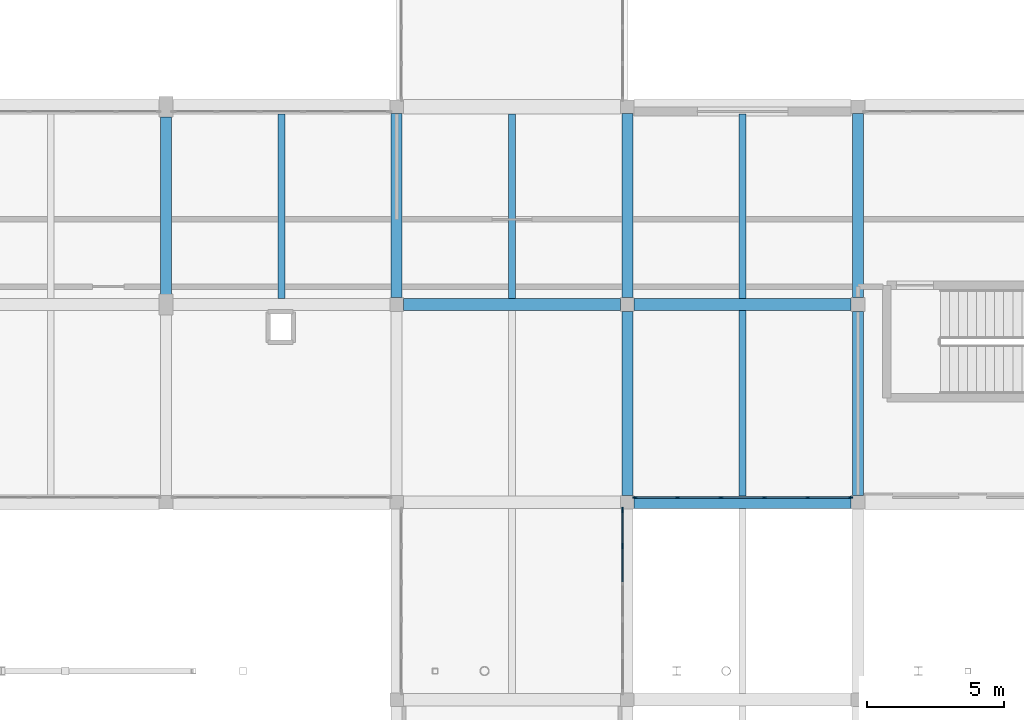
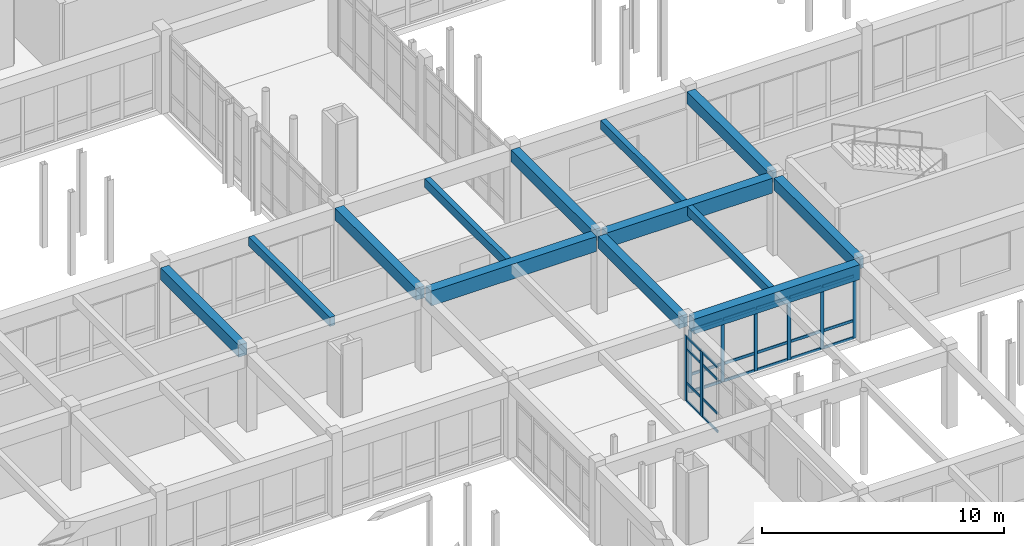
# One storey, part 48 of 147: 31 members, 13 beams, 2 elements without a shape of their own.
"""IFC4 building model written with IfcOpenShell, lengths in metres."""

from ifc_helpers import new_model, si_unit, direction, frame, origin, origin_2d, place, context, subcontext, project, spatial, rectangle, extrude, material, material_profile, profile_set, type_object, element, aggregate, save


model = new_model("IFC4")

# Units and contexts
model_context = context("Model", 3, precision=1e-05, world=origin(), true_north=direction((0.0, 1.0)))
body_context = subcontext(model_context, "Body", "Model", "MODEL_VIEW")
ifc_project = project(units=[si_unit("LENGTHUNIT", "METRE"), si_unit("AREAUNIT", "SQUARE_METRE"), si_unit("VOLUMEUNIT", "CUBIC_METRE"), si_unit("PLANEANGLEUNIT", "RADIAN"), si_unit("MASSUNIT", "GRAM", prefix="KILO")], contexts=[model_context])

# Site, building, storey
site_placement = place(None, origin())
site = spatial("IfcSite", under=ifc_project, at=site_placement, CompositionType="ELEMENT")
building_placement = place(site_placement, origin())
building = spatial("IfcBuilding", under=site, at=building_placement, Name="Malvenik Polytechnic", CompositionType="ELEMENT")
storey_placement = place(building_placement, frame((0.0, 0.0, 5.10009765625)))
storey = spatial("IfcBuildingStorey", under=building, at=storey_placement, Name="L01", CompositionType="ELEMENT", Elevation=5.10009765625)

# Curtain wall, members
ifc_material_1 = material(Name="Anodised aluminium 6060-T6", Category="aluminium")
curtain_wall_type_1 = type_object("IfcCurtainWallType", Name="ARC-CW-CW-02", PredefinedType="NOTDEFINED", material=ifc_material_1)
curtain_wall_1_placement = place(storey_placement, origin())
curtain_wall_1 = element("IfcCurtainWall", 1, at=curtain_wall_1_placement, inside=storey, type_object=curtain_wall_type_1, Name="Unitised Curtain Wall CW-02 L01 #92", PredefinedType="NOTDEFINED")
ifc_material_2 = material(Name="Anodised aluminium", Category="aluminium")
ifc_material_profile_1 = material_profile(ifc_material_2, rectangle(XDim=0.06005859375, YDim=0.159912109375, at=origin_2d()), Name="ALU MULLION 60x160")
ifc_profile_set_1 = profile_set([ifc_material_profile_1], Name="Anodised aluminium")
member_type_1 = type_object("IfcMemberType", Name="ARC-CWM-160", PredefinedType="MULLION", material=ifc_profile_set_1)
member_1_placement = place(storey_placement, frame((92.1220703125, 50.570068359375, 0.0), z_axis=(0.0, 0.0, 1.0), x_axis=(0.0, -1.0, 0.0)))
member_1 = element("IfcMember", 2, at=member_1_placement, type_object=member_type_1, Name="CW-02 mullion 1", PredefinedType="MULLION", context=body_context, shape_type="SweptSolid", body=[
    extrude(rectangle(XDim=0.06005859375, YDim=0.159912109375, at=origin_2d()), origin(), (0.0, 0.0, 1.0), 3.159912109375),
])
member_2_placement = place(storey_placement, frame((90.5712890625, 50.570068359375, 0.0), z_axis=(0.0, 0.0, 1.0), x_axis=(0.0, -1.0, 0.0)))
member_2 = element("IfcMember", 3, at=member_2_placement, type_object=member_type_1, Name="CW-02 mullion 2", PredefinedType="MULLION", context=body_context, shape_type="SweptSolid", body=[
    extrude(rectangle(XDim=0.06005859375, YDim=0.159912109375, at=origin_2d()), origin(), (0.0, 0.0, 1.0), 3.159912109375),
])
member_3_placement = place(storey_placement, frame((88.990478515625, 50.570068359375, 0.0), z_axis=(0.0, 0.0, 1.0), x_axis=(0.0, -1.0, 0.0)))
member_3 = element("IfcMember", 4, at=member_3_placement, type_object=member_type_1, Name="CW-02 mullion 3", PredefinedType="MULLION", context=body_context, shape_type="SweptSolid", body=[
    extrude(rectangle(XDim=0.06005859375, YDim=0.159912109375, at=origin_2d()), origin(), (0.0, 0.0, 1.0), 3.159912109375),
])
member_4_placement = place(storey_placement, frame((87.40966796875, 50.570068359375, 0.0), z_axis=(0.0, 0.0, 1.0), x_axis=(0.0, -1.0, 0.0)))
member_4 = element("IfcMember", 5, at=member_4_placement, type_object=member_type_1, Name="CW-02 mullion 4", PredefinedType="MULLION", context=body_context, shape_type="SweptSolid", body=[
    extrude(rectangle(XDim=0.06005859375, YDim=0.159912109375, at=origin_2d()), origin(), (0.0, 0.0, 1.0), 3.159912109375),
])
member_5_placement = place(storey_placement, frame((85.828857421875, 50.570068359375, 0.0), z_axis=(0.0, 0.0, 1.0), x_axis=(0.0, -1.0, 0.0)))
member_5 = element("IfcMember", 6, at=member_5_placement, type_object=member_type_1, Name="CW-02 mullion 5", PredefinedType="MULLION", context=body_context, shape_type="SweptSolid", body=[
    extrude(rectangle(XDim=0.06005859375, YDim=0.159912109375, at=origin_2d()), origin(), (0.0, 0.0, 1.0), 3.159912109375),
])
member_6_placement = place(storey_placement, frame((84.278076171875, 50.570068359375, 0.0), z_axis=(0.0, 0.0, 1.0), x_axis=(0.0, -1.0, 0.0)))
member_6 = element("IfcMember", 7, at=member_6_placement, type_object=member_type_1, Name="CW-02 mullion 6", PredefinedType="MULLION", context=body_context, shape_type="SweptSolid", body=[
    extrude(rectangle(XDim=0.06005859375, YDim=0.159912109375, at=origin_2d()), origin(), (0.0, 0.0, 1.0), 3.159912109375),
])

curtain_wall_type_2 = type_object("IfcCurtainWallType", Name="ARC-CW-CW-05", PredefinedType="NOTDEFINED", material=ifc_material_1)
curtain_wall_2_placement = place(storey_placement, origin())
curtain_wall_2 = element("IfcCurtainWall", 8, at=curtain_wall_2_placement, inside=storey, type_object=curtain_wall_type_2, Name="Unitised Curtain Wall CW-05 L01 #93", PredefinedType="NOTDEFINED")
ifc_material_profile_2 = material_profile(ifc_material_2, rectangle(XDim=0.06005859375, YDim=0.199951171875, at=origin_2d()), Name="ALU MULLION 60x200")
ifc_profile_set_2 = profile_set([ifc_material_profile_2], Name="Anodised aluminium")
member_type_2 = type_object("IfcMemberType", Name="ARC-CWM-200", PredefinedType="MULLION", material=ifc_profile_set_2)
member_7_placement = place(storey_placement, frame((83.830078125, 50.1220703125, 0.0), z_axis=(0.0, 0.0, 1.0), x_axis=(1.0, 0.0, 0.0)))
member_7 = element("IfcMember", 9, at=member_7_placement, type_object=member_type_2, Name="CW-05 mullion 1", PredefinedType="MULLION", context=body_context, shape_type="SweptSolid", body=[
    extrude(rectangle(XDim=0.06005859375, YDim=0.199951171875, at=origin_2d()), origin(), (0.0, 0.0, 1.0), 3.309814453125),
])
member_8_placement = place(storey_placement, frame((83.830078125, 48.811279296875, 0.0), z_axis=(0.0, 0.0, 1.0), x_axis=(1.0, 0.0, 0.0)))
member_8 = element("IfcMember", 10, at=member_8_placement, type_object=member_type_2, Name="CW-05 mullion 2", PredefinedType="MULLION", context=body_context, shape_type="SweptSolid", body=[
    extrude(rectangle(XDim=0.06005859375, YDim=0.199951171875, at=origin_2d()), origin(), (0.0, 0.0, 1.0), 3.309814453125),
])
ifc_material_profile_3 = material_profile(ifc_material_2, rectangle(XDim=0.06005859375, YDim=0.1201171875, at=origin_2d()), Name="ALU TRANSOM 60x120")
ifc_profile_set_3 = profile_set([ifc_material_profile_3], Name="Anodised aluminium")
member_type_3 = type_object("IfcMemberType", Name="ARC-CWT-120", PredefinedType="USERDEFINED", material=ifc_profile_set_3)
member_9_placement = place(storey_placement, frame((83.830078125, 50.092041015625, 0.02978515625), z_axis=(0.0, -1.0, 0.0), x_axis=(1.0, 0.0, 0.0)))
member_9 = element("IfcMember", 11, at=member_9_placement, type_object=member_type_3, Name="CW-05 transom 1.1", ObjectType="TRANSOM", PredefinedType="USERDEFINED", context=body_context, shape_type="SweptSolid", body=[
    extrude(rectangle(XDim=0.06005859375, YDim=0.1201171875, at=origin_2d()), origin(), (0.0, 0.0, 1.0), 1.250732421875),
])
member_10_placement = place(storey_placement, frame((83.830078125, 50.092041015625, 0.949951171875), z_axis=(0.0, -1.0, 0.0), x_axis=(1.0, 0.0, 0.0)))
member_10 = element("IfcMember", 12, at=member_10_placement, type_object=member_type_3, Name="CW-05 transom 1.2", ObjectType="TRANSOM", PredefinedType="USERDEFINED", context=body_context, shape_type="SweptSolid", body=[
    extrude(rectangle(XDim=0.06005859375, YDim=0.1201171875, at=origin_2d()), origin(), (0.0, 0.0, 1.0), 1.250732421875),
])
member_11_placement = place(storey_placement, frame((83.830078125, 50.092041015625, 2.659912109375), z_axis=(0.0, -1.0, 0.0), x_axis=(1.0, 0.0, 0.0)))
member_11 = element("IfcMember", 13, at=member_11_placement, type_object=member_type_3, Name="CW-05 transom 1.3", ObjectType="TRANSOM", PredefinedType="USERDEFINED", context=body_context, shape_type="SweptSolid", body=[
    extrude(rectangle(XDim=0.06005859375, YDim=0.1201171875, at=origin_2d()), origin(), (0.0, 0.0, 1.0), 1.250732421875),
])
member_12_placement = place(storey_placement, frame((83.830078125, 50.092041015625, 3.27978515625), z_axis=(0.0, -1.0, 0.0), x_axis=(1.0, 0.0, 0.0)))
member_12 = element("IfcMember", 14, at=member_12_placement, type_object=member_type_3, Name="CW-05 transom 1.4", ObjectType="TRANSOM", PredefinedType="USERDEFINED", context=body_context, shape_type="SweptSolid", body=[
    extrude(rectangle(XDim=0.06005859375, YDim=0.1201171875, at=origin_2d()), origin(), (0.0, 0.0, 1.0), 1.250732421875),
])
member_13_placement = place(storey_placement, frame((83.830078125, 48.78125, 0.02978515625), z_axis=(0.0, -1.0, 0.0), x_axis=(1.0, 0.0, 0.0)))
member_13 = element("IfcMember", 15, at=member_13_placement, type_object=member_type_3, Name="CW-05 transom 2.1", ObjectType="TRANSOM", PredefinedType="USERDEFINED", context=body_context, shape_type="SweptSolid", body=[
    extrude(rectangle(XDim=0.06005859375, YDim=0.1201171875, at=origin_2d()), origin(), (0.0, 0.0, 1.0), 1.28076171875),
])
member_14_placement = place(storey_placement, frame((83.830078125, 48.78125, 0.949951171875), z_axis=(0.0, -1.0, 0.0), x_axis=(1.0, 0.0, 0.0)))
member_14 = element("IfcMember", 16, at=member_14_placement, type_object=member_type_3, Name="CW-05 transom 2.2", ObjectType="TRANSOM", PredefinedType="USERDEFINED", context=body_context, shape_type="SweptSolid", body=[
    extrude(rectangle(XDim=0.06005859375, YDim=0.1201171875, at=origin_2d()), origin(), (0.0, 0.0, 1.0), 1.28076171875),
])
member_15_placement = place(storey_placement, frame((83.830078125, 48.78125, 2.659912109375), z_axis=(0.0, -1.0, 0.0), x_axis=(1.0, 0.0, 0.0)))
member_15 = element("IfcMember", 17, at=member_15_placement, type_object=member_type_3, Name="CW-05 transom 2.3", ObjectType="TRANSOM", PredefinedType="USERDEFINED", context=body_context, shape_type="SweptSolid", body=[
    extrude(rectangle(XDim=0.06005859375, YDim=0.1201171875, at=origin_2d()), origin(), (0.0, 0.0, 1.0), 1.28076171875),
])
member_16_placement = place(storey_placement, frame((83.830078125, 48.78125, 3.27978515625), z_axis=(0.0, -1.0, 0.0), x_axis=(1.0, 0.0, 0.0)))
member_16 = element("IfcMember", 18, at=member_16_placement, type_object=member_type_3, Name="CW-05 transom 2.4", ObjectType="TRANSOM", PredefinedType="USERDEFINED", context=body_context, shape_type="SweptSolid", body=[
    extrude(rectangle(XDim=0.06005859375, YDim=0.1201171875, at=origin_2d()), origin(), (0.0, 0.0, 1.0), 1.28076171875),
])
aggregate(curtain_wall_2, [member_7, member_8, member_9, member_10, member_11, member_12, member_13, member_14, member_15, member_16])

# Member
ifc_material_profile_4 = material_profile(ifc_material_2, rectangle(XDim=0.06005859375, YDim=0.139892578125, at=origin_2d()), Name="ALU TRANSOM 60x140")
ifc_profile_set_4 = profile_set([ifc_material_profile_4], Name="Anodised aluminium")
member_type_4 = type_object("IfcMemberType", Name="ARC-CWT-140", PredefinedType="USERDEFINED", material=ifc_profile_set_4)
member_17_placement = place(storey_placement, frame((92.092041015625, 50.570068359375, 0.02978515625), z_axis=(-1.0, 0.0, 0.0), x_axis=(0.0, -1.0, 0.0)))
member_17 = element("IfcMember", 19, at=member_17_placement, type_object=member_type_4, Name="CW-02 transom 1.1", ObjectType="TRANSOM", PredefinedType="USERDEFINED", context=body_context, shape_type="SweptSolid", body=[
    extrude(rectangle(XDim=0.06005859375, YDim=0.139892578125, at=origin_2d()), origin(), (0.0, 0.0, 1.0), 1.49072265625),
])

member_18_placement = place(storey_placement, frame((92.092041015625, 50.570068359375, 0.89990234375), z_axis=(-1.0, 0.0, 0.0), x_axis=(0.0, -1.0, 0.0)))
member_18 = element("IfcMember", 20, at=member_18_placement, type_object=member_type_4, Name="CW-02 transom 1.2", ObjectType="TRANSOM", PredefinedType="USERDEFINED", context=body_context, shape_type="SweptSolid", body=[
    extrude(rectangle(XDim=0.06005859375, YDim=0.139892578125, at=origin_2d()), origin(), (0.0, 0.0, 1.0), 1.49072265625),
])

member_19_placement = place(storey_placement, frame((92.092041015625, 50.570068359375, 3.1298828125), z_axis=(-1.0, 0.0, 0.0), x_axis=(0.0, -1.0, 0.0)))
member_19 = element("IfcMember", 21, at=member_19_placement, type_object=member_type_4, Name="CW-02 transom 1.3", ObjectType="TRANSOM", PredefinedType="USERDEFINED", context=body_context, shape_type="SweptSolid", body=[
    extrude(rectangle(XDim=0.06005859375, YDim=0.139892578125, at=origin_2d()), origin(), (0.0, 0.0, 1.0), 1.49072265625),
])

member_20_placement = place(storey_placement, frame((90.541259765625, 50.570068359375, 0.02978515625), z_axis=(-1.0, 0.0, 0.0), x_axis=(0.0, -1.0, 0.0)))
member_20 = element("IfcMember", 22, at=member_20_placement, type_object=member_type_4, Name="CW-02 transom 2.1", ObjectType="TRANSOM", PredefinedType="USERDEFINED", context=body_context, shape_type="SweptSolid", body=[
    extrude(rectangle(XDim=0.06005859375, YDim=0.139892578125, at=origin_2d()), origin(), (0.0, 0.0, 1.0), 1.520751953125),
])

member_21_placement = place(storey_placement, frame((90.541259765625, 50.570068359375, 0.89990234375), z_axis=(-1.0, 0.0, 0.0), x_axis=(0.0, -1.0, 0.0)))
member_21 = element("IfcMember", 23, at=member_21_placement, type_object=member_type_4, Name="CW-02 transom 2.2", ObjectType="TRANSOM", PredefinedType="USERDEFINED", context=body_context, shape_type="SweptSolid", body=[
    extrude(rectangle(XDim=0.06005859375, YDim=0.139892578125, at=origin_2d()), origin(), (0.0, 0.0, 1.0), 1.520751953125),
])

member_22_placement = place(storey_placement, frame((90.541259765625, 50.570068359375, 3.1298828125), z_axis=(-1.0, 0.0, 0.0), x_axis=(0.0, -1.0, 0.0)))
member_22 = element("IfcMember", 24, at=member_22_placement, type_object=member_type_4, Name="CW-02 transom 2.3", ObjectType="TRANSOM", PredefinedType="USERDEFINED", context=body_context, shape_type="SweptSolid", body=[
    extrude(rectangle(XDim=0.06005859375, YDim=0.139892578125, at=origin_2d()), origin(), (0.0, 0.0, 1.0), 1.520751953125),
])

member_23_placement = place(storey_placement, frame((88.96044921875, 50.570068359375, 0.02978515625), z_axis=(-1.0, 0.0, 0.0), x_axis=(0.0, -1.0, 0.0)))
member_23 = element("IfcMember", 25, at=member_23_placement, type_object=member_type_4, Name="CW-02 transom 3.1", ObjectType="TRANSOM", PredefinedType="USERDEFINED", context=body_context, shape_type="SweptSolid", body=[
    extrude(rectangle(XDim=0.06005859375, YDim=0.139892578125, at=origin_2d()), origin(), (0.0, 0.0, 1.0), 1.520751953125),
])

member_24_placement = place(storey_placement, frame((88.96044921875, 50.570068359375, 0.89990234375), z_axis=(-1.0, 0.0, 0.0), x_axis=(0.0, -1.0, 0.0)))
member_24 = element("IfcMember", 26, at=member_24_placement, type_object=member_type_4, Name="CW-02 transom 3.2", ObjectType="TRANSOM", PredefinedType="USERDEFINED", context=body_context, shape_type="SweptSolid", body=[
    extrude(rectangle(XDim=0.06005859375, YDim=0.139892578125, at=origin_2d()), origin(), (0.0, 0.0, 1.0), 1.520751953125),
])

member_25_placement = place(storey_placement, frame((88.96044921875, 50.570068359375, 3.1298828125), z_axis=(-1.0, 0.0, 0.0), x_axis=(0.0, -1.0, 0.0)))
member_25 = element("IfcMember", 27, at=member_25_placement, type_object=member_type_4, Name="CW-02 transom 3.3", ObjectType="TRANSOM", PredefinedType="USERDEFINED", context=body_context, shape_type="SweptSolid", body=[
    extrude(rectangle(XDim=0.06005859375, YDim=0.139892578125, at=origin_2d()), origin(), (0.0, 0.0, 1.0), 1.520751953125),
])

member_26_placement = place(storey_placement, frame((87.379638671875, 50.570068359375, 0.02978515625), z_axis=(-1.0, 0.0, 0.0), x_axis=(0.0, -1.0, 0.0)))
member_26 = element("IfcMember", 28, at=member_26_placement, type_object=member_type_4, Name="CW-02 transom 4.1", ObjectType="TRANSOM", PredefinedType="USERDEFINED", context=body_context, shape_type="SweptSolid", body=[
    extrude(rectangle(XDim=0.06005859375, YDim=0.139892578125, at=origin_2d()), origin(), (0.0, 0.0, 1.0), 1.520751953125),
])

member_27_placement = place(storey_placement, frame((87.379638671875, 50.570068359375, 0.89990234375), z_axis=(-1.0, 0.0, 0.0), x_axis=(0.0, -1.0, 0.0)))
member_27 = element("IfcMember", 29, at=member_27_placement, type_object=member_type_4, Name="CW-02 transom 4.2", ObjectType="TRANSOM", PredefinedType="USERDEFINED", context=body_context, shape_type="SweptSolid", body=[
    extrude(rectangle(XDim=0.06005859375, YDim=0.139892578125, at=origin_2d()), origin(), (0.0, 0.0, 1.0), 1.520751953125),
])

member_28_placement = place(storey_placement, frame((87.379638671875, 50.570068359375, 3.1298828125), z_axis=(-1.0, 0.0, 0.0), x_axis=(0.0, -1.0, 0.0)))
member_28 = element("IfcMember", 30, at=member_28_placement, type_object=member_type_4, Name="CW-02 transom 4.3", ObjectType="TRANSOM", PredefinedType="USERDEFINED", context=body_context, shape_type="SweptSolid", body=[
    extrude(rectangle(XDim=0.06005859375, YDim=0.139892578125, at=origin_2d()), origin(), (0.0, 0.0, 1.0), 1.520751953125),
])

member_29_placement = place(storey_placement, frame((85.798828125, 50.570068359375, 0.02978515625), z_axis=(-1.0, 0.0, 0.0), x_axis=(0.0, -1.0, 0.0)))
member_29 = element("IfcMember", 31, at=member_29_placement, type_object=member_type_4, Name="CW-02 transom 5.1", ObjectType="TRANSOM", PredefinedType="USERDEFINED", context=body_context, shape_type="SweptSolid", body=[
    extrude(rectangle(XDim=0.06005859375, YDim=0.139892578125, at=origin_2d()), origin(), (0.0, 0.0, 1.0), 1.49072265625),
])

member_30_placement = place(storey_placement, frame((85.798828125, 50.570068359375, 0.89990234375), z_axis=(-1.0, 0.0, 0.0), x_axis=(0.0, -1.0, 0.0)))
member_30 = element("IfcMember", 32, at=member_30_placement, type_object=member_type_4, Name="CW-02 transom 5.2", ObjectType="TRANSOM", PredefinedType="USERDEFINED", context=body_context, shape_type="SweptSolid", body=[
    extrude(rectangle(XDim=0.06005859375, YDim=0.139892578125, at=origin_2d()), origin(), (0.0, 0.0, 1.0), 1.49072265625),
])

member_31_placement = place(storey_placement, frame((85.798828125, 50.570068359375, 3.1298828125), z_axis=(-1.0, 0.0, 0.0), x_axis=(0.0, -1.0, 0.0)))
member_31 = element("IfcMember", 33, at=member_31_placement, type_object=member_type_4, Name="CW-02 transom 5.3", ObjectType="TRANSOM", PredefinedType="USERDEFINED", context=body_context, shape_type="SweptSolid", body=[
    extrude(rectangle(XDim=0.06005859375, YDim=0.139892578125, at=origin_2d()), origin(), (0.0, 0.0, 1.0), 1.49072265625),
])

aggregate(curtain_wall_1, [member_1, member_2, member_3, member_4, member_5, member_6, member_17, member_18, member_19, member_20, member_21, member_22, member_23, member_24, member_25, member_26, member_27, member_28, member_29, member_30, member_31])

# Beams
ifc_material_3 = material(Name="Concrete C35/45", Category="concrete")
ifc_material_profile_5 = material_profile(ifc_material_3, rectangle(XDim=0.449951171875, YDim=0.75, at=origin_2d()), Name="RC BM 450x750")
ifc_profile_set_5 = profile_set([ifc_material_profile_5], Name="Concrete C35/45")
beam_type_1 = type_object("IfcBeamType", Name="STR-BM-B-03", PredefinedType="BEAM", material=ifc_profile_set_5)
for number, where, z_axis, x_axis, name in (
    (34, (84.248046875, 50.39990234375, 3.544921875), (1.0, 0.0, 0.0), (0.0, 1.0, 0.0), "Primary Beam B-03 L01 #1009"),
    (35, (75.847900390625, 57.60009765625, 3.544921875), (1.0, 0.0, 0.0), (0.0, 1.0, 0.0), "Primary Beam B-03 L01 #1021"),
    (36, (84.248046875, 57.60009765625, 3.544921875), (1.0, 0.0, 0.0), (0.0, 1.0, 0.0), "Primary Beam B-03 L01 #1022"),
):
    element("IfcBeam", number, at=place(storey_placement, frame(where, z_axis=z_axis, x_axis=x_axis)), inside=storey, type_object=beam_type_1, Name=name, PredefinedType="BEAM", context=body_context, shape_type="SweptSolid", body=[
        extrude(rectangle(XDim=0.449951171875, YDim=0.75, at=origin_2d()), origin(), (0.0, 0.0, 1.0), 7.904052734375),
    ])
ifc_material_profile_6 = material_profile(ifc_material_3, rectangle(XDim=0.39990234375, YDim=0.60009765625, at=origin_2d()), Name="RC BM 400x600")
ifc_profile_set_6 = profile_set([ifc_material_profile_6], Name="Concrete C35/45")
beam_type_2 = type_object("IfcBeamType", Name="STR-BM-B-06", PredefinedType="BEAM", material=ifc_profile_set_6)
beam_1_placement = place(storey_placement, frame((67.199951171875, 57.972900390625, 3.619873046875), z_axis=(0.0, 1.0, 0.0), x_axis=(-1.0, 0.0, 0.0)))
element("IfcBeam", 37, at=beam_1_placement, inside=storey, type_object=beam_type_2, Name="Transverse Beam B-06 L01 #1174", PredefinedType="BEAM", context=body_context, shape_type="SweptSolid", body=[
    extrude(rectangle(XDim=0.39990234375, YDim=0.60009765625, at=origin_2d()), origin(), (0.0, 0.0, 1.0), 6.4541015625),
])
for number, where, z_axis, x_axis, name in (
    (38, (75.60009765625, 57.847900390625, 3.619873046875), (0.0, 1.0, 0.0), (-1.0, 0.0, 0.0), "Transverse Beam B-06 L01 #1184"),
    (39, (84.0, 50.64794921875, 3.619873046875), (0.0, 1.0, 0.0), (-1.0, 0.0, 0.0), "Transverse Beam B-06 L01 #1191"),
    (40, (84.0, 57.847900390625, 3.619873046875), (0.0, 1.0, 0.0), (-1.0, 0.0, 0.0), "Transverse Beam B-06 L01 #1192"),
    (41, (92.39990234375, 50.64794921875, 3.619873046875), (0.0, 1.0, 0.0), (-1.0, 0.0, 0.0), "Transverse Beam B-06 L01 #1201"),
    (42, (92.39990234375, 57.847900390625, 3.619873046875), (0.0, 1.0, 0.0), (-1.0, 0.0, 0.0), "Transverse Beam B-06 L01 #1202"),
):
    element("IfcBeam", number, at=place(storey_placement, frame(where, z_axis=z_axis, x_axis=x_axis)), inside=storey, type_object=beam_type_2, Name=name, PredefinedType="BEAM", context=body_context, shape_type="SweptSolid", body=[
        extrude(rectangle(XDim=0.39990234375, YDim=0.60009765625, at=origin_2d()), origin(), (0.0, 0.0, 1.0), 6.7041015625),
    ])
ifc_material_4 = material(Name="Concrete C30/37", Category="concrete")
ifc_material_profile_7 = material_profile(ifc_material_4, rectangle(XDim=0.25, YDim=0.449951171875, at=origin_2d()), Name="RC JST 250x450")
ifc_profile_set_7 = profile_set([ifc_material_profile_7], Name="Concrete C30/37")
beam_type_3 = type_object("IfcBeamType", Name="STR-BM-J-02", PredefinedType="JOIST", material=ifc_profile_set_7)
for number, where, z_axis, x_axis, name in (
    (43, (71.39990234375, 57.822998046875, 3.69482421875), (0.0, 1.0, 0.0), (-1.0, 0.0, 0.0), "Secondary Rib Joist J-02 L01 #1283"),
    (44, (79.800048828125, 57.822998046875, 3.69482421875), (0.0, 1.0, 0.0), (-1.0, 0.0, 0.0), "Secondary Rib Joist J-02 L01 #1289"),
):
    element("IfcBeam", number, at=place(storey_placement, frame(where, z_axis=z_axis, x_axis=x_axis)), inside=storey, type_object=beam_type_3, Name=name, PredefinedType="JOIST", context=body_context, shape_type="SweptSolid", body=[
        extrude(rectangle(XDim=0.25, YDim=0.449951171875, at=origin_2d()), origin(), (0.0, 0.0, 1.0), 6.718994140625),
    ])
beam_2_placement = place(storey_placement, frame((88.199951171875, 50.623046875, 3.69482421875), z_axis=(0.0, 1.0, 0.0), x_axis=(-1.0, 0.0, 0.0)))
element("IfcBeam", 45, at=beam_2_placement, inside=storey, type_object=beam_type_3, Name="Secondary Rib Joist J-02 L01 #1296", PredefinedType="JOIST", context=body_context, shape_type="SweptSolid", body=[
    extrude(rectangle(XDim=0.25, YDim=0.449951171875, at=origin_2d()), origin(), (0.0, 0.0, 1.0), 6.75390625),
])
beam_3_placement = place(storey_placement, frame((88.199951171875, 57.822998046875, 3.69482421875), z_axis=(0.0, 1.0, 0.0), x_axis=(-1.0, 0.0, 0.0)))
element("IfcBeam", 46, at=beam_3_placement, inside=storey, type_object=beam_type_3, Name="Secondary Rib Joist J-02 L01 #1297", PredefinedType="JOIST", context=body_context, shape_type="SweptSolid", body=[
    extrude(rectangle(XDim=0.25, YDim=0.449951171875, at=origin_2d()), origin(), (0.0, 0.0, 1.0), 6.718994140625),
])

save(model, "model.ifc")
